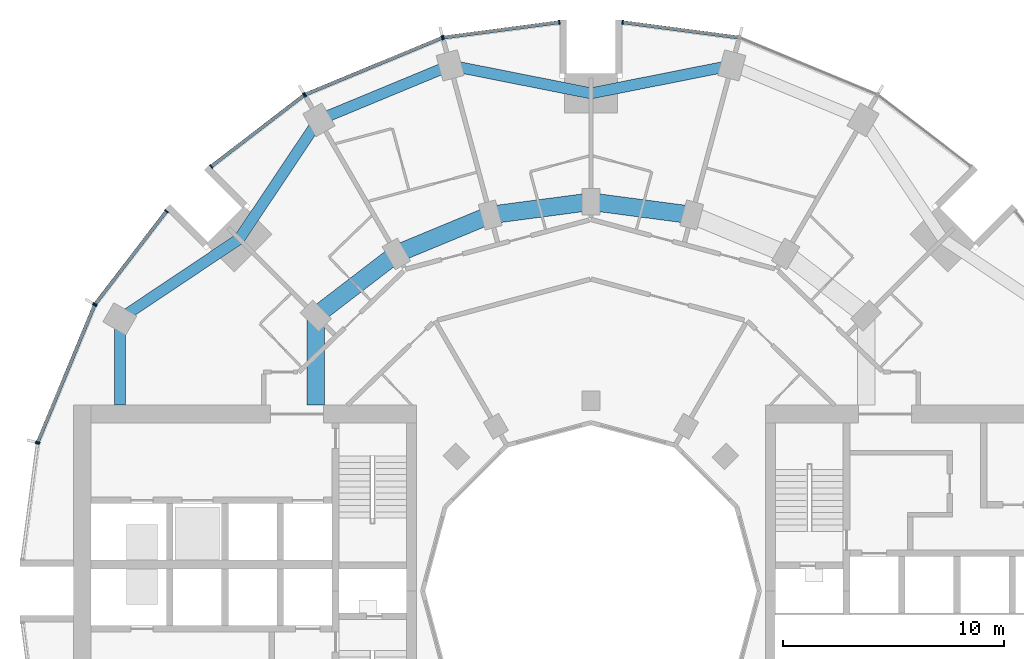
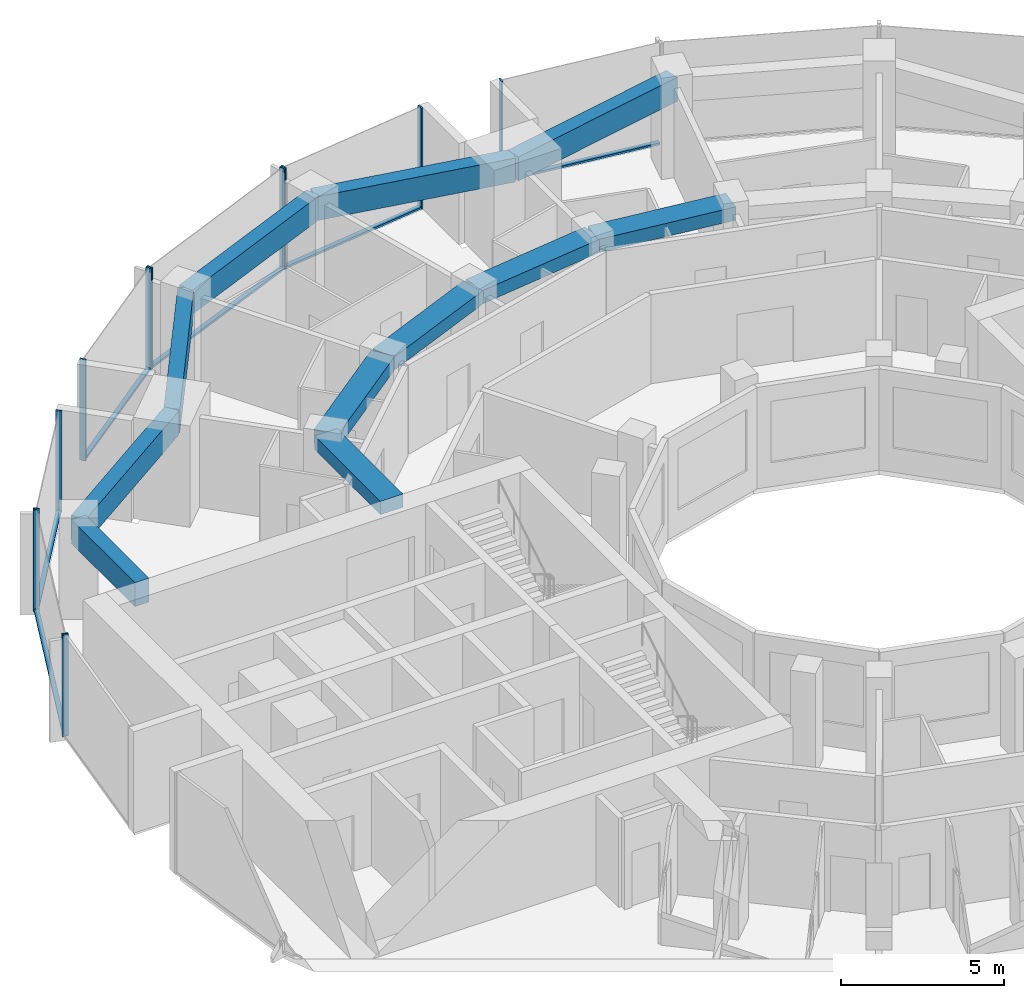
# One storey, part 5 of 15: 18 members, 11 beams, 7 elements without a shape of their own.
"""IFC4 building model written with IfcOpenShell, lengths in metres."""

from ifc_helpers import new_model, si_unit, direction, frame, origin, origin_2d, place, context, subcontext, project, spatial, rectangle, extrude, material, layer, layer_set, material_profile, profile_set, type_object, element, aggregate, save


model = new_model("IFC4")

# Units and contexts
model_context = context("Model", 3, precision=1e-05, world=origin(), true_north=direction((0.0, 1.0)))
body_context = subcontext(model_context, "Body", "Model", "MODEL_VIEW")
ifc_project = project(units=[si_unit("LENGTHUNIT", "METRE"), si_unit("AREAUNIT", "SQUARE_METRE"), si_unit("VOLUMEUNIT", "CUBIC_METRE"), si_unit("PLANEANGLEUNIT", "RADIAN"), si_unit("MASSUNIT", "GRAM", prefix="KILO")], contexts=[model_context])

# Site, building, storey
site_placement = place(None, origin())
site = spatial("IfcSite", under=ifc_project, at=site_placement, CompositionType="ELEMENT")
building_placement = place(site_placement, origin())
building = spatial("IfcBuilding", under=site, at=building_placement, Name="Torre Brocal", CompositionType="ELEMENT")
storey_placement = place(building_placement, frame((0.0, 0.0, 40.199951171875)))
storey = spatial("IfcBuildingStorey", under=building, at=storey_placement, Name="L08", CompositionType="ELEMENT", Elevation=40.199951171875)

# Curtain wall, member
ifc_material_1 = material(Name="Aluminium and glass", Category="aluminium")
ifc_layer_1 = layer(ifc_material_1, 0.199951171875)
ifc_layer_set_1 = layer_set([ifc_layer_1], Name="Aluminium and glass")
curtain_wall_type_1 = type_object("IfcCurtainWallType", Name="CW-1 CURTAIN WALL 3800 HIGH", PredefinedType="NOTDEFINED", material=ifc_layer_set_1)
curtain_wall_1_placement = place(storey_placement, origin())
curtain_wall_1 = element("IfcCurtainWall", 1, at=curtain_wall_1_placement, inside=storey, type_object=curtain_wall_type_1, Name="CW-1 RUN 6", PredefinedType="NOTDEFINED")
ifc_material_2 = material(Name="Aluminium, dark anodised", Category="aluminium")
ifc_material_profile_1 = material_profile(ifc_material_2, rectangle(XDim=0.199951171875, YDim=0.06005859375, at=origin_2d()), Name="CW-1 MULLION 60X200")
ifc_profile_set_1 = profile_set([ifc_material_profile_1], Name="Aluminium, dark anodised")
member_type_1 = type_object("IfcMemberType", Name="CW-1 MULLION 60X200", PredefinedType="MULLION", material=ifc_profile_set_1)
member_1_placement = place(storey_placement, frame((81.4296875, 100.7109375, 0.0), z_axis=(0.0, 0.0, 1.0), x_axis=(-0.13052619222, -0.991444861374, 0.0)))
member_1 = element("IfcMember", 2, at=member_1_placement, type_object=member_type_1, Name="CW1-1 mullion 2", PredefinedType="MULLION", context=body_context, shape_type="SweptSolid", body=[
    extrude(rectangle(XDim=0.199951171875, YDim=0.06005859375, at=origin_2d()), origin(), (0.0, 0.0, 1.0), 3.800048828125),
])

# Curtain wall, members
curtain_wall_2_placement = place(storey_placement, origin())
curtain_wall_2 = element("IfcCurtainWall", 3, at=curtain_wall_2_placement, inside=storey, type_object=curtain_wall_type_1, Name="CW-1 RUN 7", PredefinedType="NOTDEFINED")
member_2_placement = place(storey_placement, frame((78.5703125, 100.7109375, 0.0), z_axis=(0.0, 0.0, 1.0), x_axis=(0.13052619222, -0.991444861374, 0.0)))
member_2 = element("IfcMember", 4, at=member_2_placement, type_object=member_type_1, Name="CW1-1 mullion 1", PredefinedType="MULLION", context=body_context, shape_type="SweptSolid", body=[
    extrude(rectangle(XDim=0.199951171875, YDim=0.06005859375, at=origin_2d()), origin(), (0.0, 0.0, 1.0), 3.800048828125),
])
member_3_placement = place(storey_placement, frame((73.32666015625, 100.0205078125, 0.0), z_axis=(0.0, 0.0, 1.0), x_axis=(0.13052619222, -0.991444861374, 0.0)))
member_3 = element("IfcMember", 5, at=member_3_placement, type_object=member_type_1, Name="CW1-1 mullion 2", PredefinedType="MULLION", context=body_context, shape_type="SweptSolid", body=[
    extrude(rectangle(XDim=0.199951171875, YDim=0.06005859375, at=origin_2d()), origin(), (0.0, 0.0, 1.0), 3.800048828125),
])

curtain_wall_3_placement = place(storey_placement, origin())
curtain_wall_3 = element("IfcCurtainWall", 6, at=curtain_wall_3_placement, inside=storey, type_object=curtain_wall_type_1, Name="CW-1 RUN 8", PredefinedType="NOTDEFINED")
member_4_placement = place(storey_placement, frame((73.26904296875, 100.005126953125, 0.0), z_axis=(0.0, 0.0, 1.0), x_axis=(0.382683432333, -0.923879532525, 0.0)))
member_4 = element("IfcMember", 7, at=member_4_placement, type_object=member_type_1, Name="CW1-1 mullion 1", PredefinedType="MULLION", context=body_context, shape_type="SweptSolid", body=[
    extrude(rectangle(XDim=0.199951171875, YDim=0.06005859375, at=origin_2d()), origin(), (0.0, 0.0, 1.0), 3.800048828125),
])
member_5_placement = place(storey_placement, frame((67.078125, 97.440673828125, 0.0), z_axis=(0.0, 0.0, 1.0), x_axis=(0.382683432333, -0.923879532525, 0.0)))
member_5 = element("IfcMember", 8, at=member_5_placement, type_object=member_type_1, Name="CW1-1 mullion 2", PredefinedType="MULLION", context=body_context, shape_type="SweptSolid", body=[
    extrude(rectangle(XDim=0.199951171875, YDim=0.06005859375, at=origin_2d()), origin(), (0.0, 0.0, 1.0), 3.800048828125),
])

curtain_wall_4_placement = place(storey_placement, origin())
curtain_wall_4 = element("IfcCurtainWall", 9, at=curtain_wall_4_placement, inside=storey, type_object=curtain_wall_type_1, Name="CW-1 RUN 9", PredefinedType="NOTDEFINED")
member_6_placement = place(storey_placement, frame((67.026611328125, 97.4111328125, 0.0), z_axis=(0.0, 0.0, 1.0), x_axis=(0.60876142905, -0.793353340259, 0.0)))
member_6 = element("IfcMember", 10, at=member_6_placement, type_object=member_type_1, Name="CW1-1 mullion 1", PredefinedType="MULLION", context=body_context, shape_type="SweptSolid", body=[
    extrude(rectangle(XDim=0.199951171875, YDim=0.06005859375, at=origin_2d()), origin(), (0.0, 0.0, 1.0), 3.800048828125),
])
member_7_placement = place(storey_placement, frame((62.83056640625, 94.19140625, 0.0), z_axis=(0.0, 0.0, 1.0), x_axis=(0.60876142905, -0.793353340259, 0.0)))
member_7 = element("IfcMember", 11, at=member_7_placement, type_object=member_type_1, Name="CW1-1 mullion 2", PredefinedType="MULLION", context=body_context, shape_type="SweptSolid", body=[
    extrude(rectangle(XDim=0.199951171875, YDim=0.06005859375, at=origin_2d()), origin(), (0.0, 0.0, 1.0), 3.800048828125),
])

curtain_wall_5_placement = place(storey_placement, origin())
curtain_wall_5 = element("IfcCurtainWall", 12, at=curtain_wall_5_placement, inside=storey, type_object=curtain_wall_type_1, Name="CW-1 RUN 10", PredefinedType="NOTDEFINED")
member_8_placement = place(storey_placement, frame((60.80859375, 92.16943359375, 0.0), z_axis=(0.0, 0.0, 1.0), x_axis=(0.793353340259, -0.60876142905, 0.0)))
member_8 = element("IfcMember", 13, at=member_8_placement, type_object=member_type_1, Name="CW1-1 mullion 1", PredefinedType="MULLION", context=body_context, shape_type="SweptSolid", body=[
    extrude(rectangle(XDim=0.199951171875, YDim=0.06005859375, at=origin_2d()), origin(), (0.0, 0.0, 1.0), 3.800048828125),
])
member_9_placement = place(storey_placement, frame((57.5888671875, 87.973388671875, 0.0), z_axis=(0.0, 0.0, 1.0), x_axis=(0.793353340259, -0.60876142905, 0.0)))
member_9 = element("IfcMember", 14, at=member_9_placement, type_object=member_type_1, Name="CW1-1 mullion 2", PredefinedType="MULLION", context=body_context, shape_type="SweptSolid", body=[
    extrude(rectangle(XDim=0.199951171875, YDim=0.06005859375, at=origin_2d()), origin(), (0.0, 0.0, 1.0), 3.800048828125),
])

curtain_wall_6_placement = place(storey_placement, origin())
curtain_wall_6 = element("IfcCurtainWall", 15, at=curtain_wall_6_placement, inside=storey, type_object=curtain_wall_type_1, Name="CW-1 RUN 11", PredefinedType="NOTDEFINED")
member_10_placement = place(storey_placement, frame((57.559326171875, 87.921875, 0.0), z_axis=(0.0, 0.0, 1.0), x_axis=(0.923879532525, -0.382683432333, 0.0)))
member_10 = element("IfcMember", 16, at=member_10_placement, type_object=member_type_1, Name="CW1-1 mullion 1", PredefinedType="MULLION", context=body_context, shape_type="SweptSolid", body=[
    extrude(rectangle(XDim=0.199951171875, YDim=0.06005859375, at=origin_2d()), origin(), (0.0, 0.0, 1.0), 3.800048828125),
])
member_11_placement = place(storey_placement, frame((54.994873046875, 81.73095703125, 0.0), z_axis=(0.0, 0.0, 1.0), x_axis=(0.923879532525, -0.382683432333, 0.0)))
member_11 = element("IfcMember", 17, at=member_11_placement, type_object=member_type_1, Name="CW1-1 mullion 2", PredefinedType="MULLION", context=body_context, shape_type="SweptSolid", body=[
    extrude(rectangle(XDim=0.199951171875, YDim=0.06005859375, at=origin_2d()), origin(), (0.0, 0.0, 1.0), 3.800048828125),
])

# Member
ifc_material_3 = material(Name="Aluminium, dark anodised", Category="aluminium")
ifc_material_profile_2 = material_profile(ifc_material_3, rectangle(XDim=0.159912109375, YDim=0.080078125, at=origin_2d()), Name="CW-1 TRANSOM 160X80")
ifc_profile_set_2 = profile_set([ifc_material_profile_2], Name="Aluminium, dark anodised")
member_type_2 = type_object("IfcMemberType", Name="CW-1 TRANSOM 160X80", PredefinedType="USERDEFINED", material=ifc_profile_set_2)
member_12_placement = place(storey_placement, frame((86.643798828125, 100.0244140625, 0.0400390625), z_axis=(-0.991442690863, 0.130542677827, 0.0), x_axis=(-0.130542677827, -0.991442690863, 0.0)))
member_12 = element("IfcMember", 18, at=member_12_placement, type_object=member_type_2, Name="CW1-1 transom 1.1", ObjectType="TRANSOM", PredefinedType="USERDEFINED", context=body_context, shape_type="SweptSolid", body=[
    extrude(rectangle(XDim=0.159912109375, YDim=0.080078125, at=origin_2d()), origin(), (0.0, 0.0, 1.0), 5.22900390625),
])

aggregate(curtain_wall_1, [member_1, member_12])

member_13_placement = place(storey_placement, frame((78.54052734375, 100.70703125, 0.0400390625), z_axis=(-0.991442690863, -0.130542677827, 0.0), x_axis=(0.130542677827, -0.991442690863, 0.0)))
member_13 = element("IfcMember", 19, at=member_13_placement, type_object=member_type_2, Name="CW1-1 transom 1.1", ObjectType="TRANSOM", PredefinedType="USERDEFINED", context=body_context, shape_type="SweptSolid", body=[
    extrude(rectangle(XDim=0.159912109375, YDim=0.080078125, at=origin_2d()), origin(), (0.0, 0.0, 1.0), 5.22900390625),
])

aggregate(curtain_wall_2, [member_2, member_3, member_13])

member_14_placement = place(storey_placement, frame((73.241455078125, 99.99365234375, 0.0400390625), z_axis=(-0.923887344364, -0.38266457234, 0.0), x_axis=(0.38266457234, -0.923887344364, 0.0)))
member_14 = element("IfcMember", 20, at=member_14_placement, type_object=member_type_2, Name="CW1-1 transom 1.1", ObjectType="TRANSOM", PredefinedType="USERDEFINED", context=body_context, shape_type="SweptSolid", body=[
    extrude(rectangle(XDim=0.159912109375, YDim=0.080078125, at=origin_2d()), origin(), (0.0, 0.0, 1.0), 6.640869140625),
])

aggregate(curtain_wall_3, [member_4, member_5, member_14])

member_15_placement = place(storey_placement, frame((67.0029296875, 97.392822265625, 0.0400390625), z_axis=(-0.79336281513, -0.60874908096, 0.0), x_axis=(0.60874908096, -0.79336281513, 0.0)))
member_15 = element("IfcMember", 21, at=member_15_placement, type_object=member_type_2, Name="CW1-1 transom 1.1", ObjectType="TRANSOM", PredefinedType="USERDEFINED", context=body_context, shape_type="SweptSolid", body=[
    extrude(rectangle(XDim=0.159912109375, YDim=0.080078125, at=origin_2d()), origin(), (0.0, 0.0, 1.0), 5.22900390625),
])

aggregate(curtain_wall_4, [member_6, member_7, member_15])

member_16_placement = place(storey_placement, frame((60.790283203125, 92.1455078125, 0.0400390625), z_axis=(-0.60874908096, -0.79336281513, 0.0), x_axis=(0.79336281513, -0.60874908096, 0.0)))
member_16 = element("IfcMember", 22, at=member_16_placement, type_object=member_type_2, Name="CW1-1 transom 1.1", ObjectType="TRANSOM", PredefinedType="USERDEFINED", context=body_context, shape_type="SweptSolid", body=[
    extrude(rectangle(XDim=0.159912109375, YDim=0.080078125, at=origin_2d()), origin(), (0.0, 0.0, 1.0), 5.22900390625),
])

aggregate(curtain_wall_5, [member_8, member_9, member_16])

member_17_placement = place(storey_placement, frame((57.547607421875, 87.89404296875, 0.0400390625), z_axis=(-0.38266457234, -0.923887344364, 0.0), x_axis=(0.923887344364, -0.38266457234, 0.0)))
member_17 = element("IfcMember", 23, at=member_17_placement, type_object=member_type_2, Name="CW1-1 transom 1.1", ObjectType="TRANSOM", PredefinedType="USERDEFINED", context=body_context, shape_type="SweptSolid", body=[
    extrude(rectangle(XDim=0.159912109375, YDim=0.080078125, at=origin_2d()), origin(), (0.0, 0.0, 1.0), 6.640869140625),
])

aggregate(curtain_wall_6, [member_10, member_11, member_17])

# Curtain wall, member
ifc_material_4 = material(Name="Aluminium and glass", Category="aluminium")
ifc_layer_2 = layer(ifc_material_4, 0.199951171875)
ifc_layer_set_2 = layer_set([ifc_layer_2], Name="Aluminium and glass")
curtain_wall_type_2 = type_object("IfcCurtainWallType", Name="CW-1B CURTAIN WALL 3800 HIGH", PredefinedType="NOTDEFINED", material=ifc_layer_set_2)
curtain_wall_7_placement = place(storey_placement, origin())
curtain_wall_7 = element("IfcCurtainWall", 24, at=curtain_wall_7_placement, inside=storey, type_object=curtain_wall_type_2, Name="CW-1B RUN 12", PredefinedType="NOTDEFINED")
ifc_material_5 = material(Name="Aluminium, dark anodised", Category="aluminium")
ifc_material_profile_3 = material_profile(ifc_material_5, rectangle(XDim=0.199951171875, YDim=0.06005859375, at=origin_2d()), Name="CW-1B MULLION 60X200")
ifc_profile_set_3 = profile_set([ifc_material_profile_3], Name="Aluminium, dark anodised")
member_type_3 = type_object("IfcMemberType", Name="CW-1B MULLION 60X200", PredefinedType="MULLION", material=ifc_profile_set_3)
member_18_placement = place(storey_placement, frame((54.9794921875, 81.67333984375, 0.0), z_axis=(0.0, 0.0, 1.0), x_axis=(0.991444861374, -0.13052619222, 0.0)))
member_18 = element("IfcMember", 25, at=member_18_placement, type_object=member_type_3, Name="CW1B-1 mullion 1", PredefinedType="MULLION", context=body_context, shape_type="SweptSolid", body=[
    extrude(rectangle(XDim=0.199951171875, YDim=0.06005859375, at=origin_2d()), origin(), (0.0, 0.0, 1.0), 3.800048828125),
])
aggregate(curtain_wall_7, [member_18])

# Beams
ifc_material_6 = material(Name="Concrete C50", Category="concrete")
ifc_material_profile_4 = material_profile(ifc_material_6, rectangle(XDim=0.800048828125, YDim=0.5, at=origin_2d()), Name="RC 800X500")
ifc_profile_set_4 = profile_set([ifc_material_profile_4], Name="Concrete C50")
beam_type_1 = type_object("IfcBeamType", Name="RC BEAM 800X500 C50 TOP 3480", PredefinedType="BEAM", material=ifc_profile_set_4)
for number, where, z_axis, x_axis, name in (
    (26, (84.55517578125, 92.000244140625, 3.22998046875), (-0.991440544449, 0.130558978332, 0.0), (-0.130558978332, -0.991440544449, 0.0), "Beam BT-19"),
    (27, (80.0, 92.60009765625, 3.22998046875), (-0.991440544449, -0.130558978332, 0.0), (0.130558978332, -0.991440544449, 0.0), "Beam BT-19"),
):
    element("IfcBeam", number, at=place(storey_placement, frame(where, z_axis=z_axis, x_axis=x_axis)), inside=storey, type_object=beam_type_1, Name=name, PredefinedType="BEAM", context=body_context, shape_type="SweptSolid", body=[
        extrude(rectangle(XDim=0.800048828125, YDim=0.5, at=origin_2d()), origin(), (0.0, 0.0, 1.0), 4.594482421875),
    ])
beam_1_placement = place(storey_placement, frame((75.44482421875, 92.000244140625, 3.22998046875), z_axis=(-0.923878240166, -0.382686552348, 0.0), x_axis=(0.382686552348, -0.923878240166, 0.0)))
element("IfcBeam", 28, at=beam_1_placement, inside=storey, type_object=beam_type_1, Name="Beam BT-19", PredefinedType="BEAM", context=body_context, shape_type="SweptSolid", body=[
    extrude(rectangle(XDim=0.800048828125, YDim=0.5, at=origin_2d()), origin(), (0.0, 0.0, 1.0), 4.5947265625),
])
beam_2_placement = place(storey_placement, frame((71.199951171875, 90.241943359375, 3.22998046875), z_axis=(-0.793358265959, -0.6087550097, 0.0), x_axis=(0.6087550097, -0.793358265959, 0.0)))
element("IfcBeam", 29, at=beam_2_placement, inside=storey, type_object=beam_type_1, Name="Beam BT-19", PredefinedType="BEAM", context=body_context, shape_type="SweptSolid", body=[
    extrude(rectangle(XDim=0.800048828125, YDim=0.5, at=origin_2d()), origin(), (0.0, 0.0, 1.0), 4.594482421875),
])
beam_3_placement = place(storey_placement, frame((67.554931640625, 87.445068359375, 3.22998046875), z_axis=(0.0, -1.0, 0.0), x_axis=(1.0, 0.0, 0.0)))
element("IfcBeam", 30, at=beam_3_placement, inside=storey, type_object=beam_type_1, Name="Beam BT-19", PredefinedType="BEAM", context=body_context, shape_type="SweptSolid", body=[
    extrude(rectangle(XDim=0.800048828125, YDim=0.5, at=origin_2d()), origin(), (0.0, 0.0, 1.0), 4.045166015625),
])
ifc_material_7 = material(Name="Concrete C50", Category="concrete")
ifc_material_profile_5 = material_profile(ifc_material_7, rectangle(XDim=0.5, YDim=0.89990234375, at=origin_2d()), Name="RC 500X900")
ifc_profile_set_5 = profile_set([ifc_material_profile_5], Name="Concrete C50")
beam_type_2 = type_object("IfcBeamType", Name="RC SPANDREL BEAM 500X900 C50 TOP 3480", PredefinedType="SPANDREL", material=ifc_profile_set_5)
for number, where, z_axis, x_axis, name in (
    (31, (86.366943359375, 98.76171875, 3.030029296875), (-0.980924907484, -0.194387051723, 0.0), (0.194387051723, -0.980924907484, 0.0), "Beam BT-20"),
    (32, (80.0, 97.5, 3.030029296875), (-0.980924907484, 0.194387051723, 0.0), (-0.194387051723, -0.980924907484, 0.0), "Beam BT-20"),
):
    element("IfcBeam", number, at=place(storey_placement, frame(where, z_axis=z_axis, x_axis=x_axis)), inside=storey, type_object=beam_type_2, Name=name, PredefinedType="SPANDREL", context=body_context, shape_type="SweptSolid", body=[
        extrude(rectangle(XDim=0.5, YDim=0.89990234375, at=origin_2d()), origin(), (0.0, 0.0, 1.0), 6.49072265625),
    ])
beam_4_placement = place(storey_placement, frame((73.633056640625, 98.76171875, 3.030029296875), z_axis=(-0.923882462513, -0.382676358639, 0.0), x_axis=(0.382676358639, -0.923882462513, 0.0)))
element("IfcBeam", 33, at=beam_4_placement, inside=storey, type_object=beam_type_2, Name="Beam BT-20", PredefinedType="SPANDREL", context=body_context, shape_type="SweptSolid", body=[
    extrude(rectangle(XDim=0.5, YDim=0.89990234375, at=origin_2d()), origin(), (0.0, 0.0, 1.0), 6.421875),
])
for number, where, z_axis, x_axis, name in (
    (34, (67.699951171875, 96.30419921875, 3.030029296875), (-0.556157602282, -0.831076844476, 0.0), (0.831076844476, -0.556157602282, 0.0), "Beam BT-20"),
    (35, (64.090087890625, 90.909912109375, 3.030029296875), (-0.831076844476, -0.556157602282, 0.0), (0.556157602282, -0.831076844476, 0.0), "Beam BT-20"),
):
    element("IfcBeam", number, at=place(storey_placement, frame(where, z_axis=z_axis, x_axis=x_axis)), inside=storey, type_object=beam_type_2, Name=name, PredefinedType="SPANDREL", context=body_context, shape_type="SweptSolid", body=[
        extrude(rectangle(XDim=0.5, YDim=0.89990234375, at=origin_2d()), origin(), (0.0, 0.0, 1.0), 6.49072265625),
    ])
beam_5_placement = place(storey_placement, frame((58.69580078125, 87.300048828125, 3.030029296875), z_axis=(0.0, -1.0, 0.0), x_axis=(1.0, 0.0, 0.0)))
element("IfcBeam", 36, at=beam_5_placement, inside=storey, type_object=beam_type_2, Name="Beam BT-20", PredefinedType="SPANDREL", context=body_context, shape_type="SweptSolid", body=[
    extrude(rectangle(XDim=0.5, YDim=0.89990234375, at=origin_2d()), origin(), (0.0, 0.0, 1.0), 3.900146484375),
])

save(model, "model.ifc")
